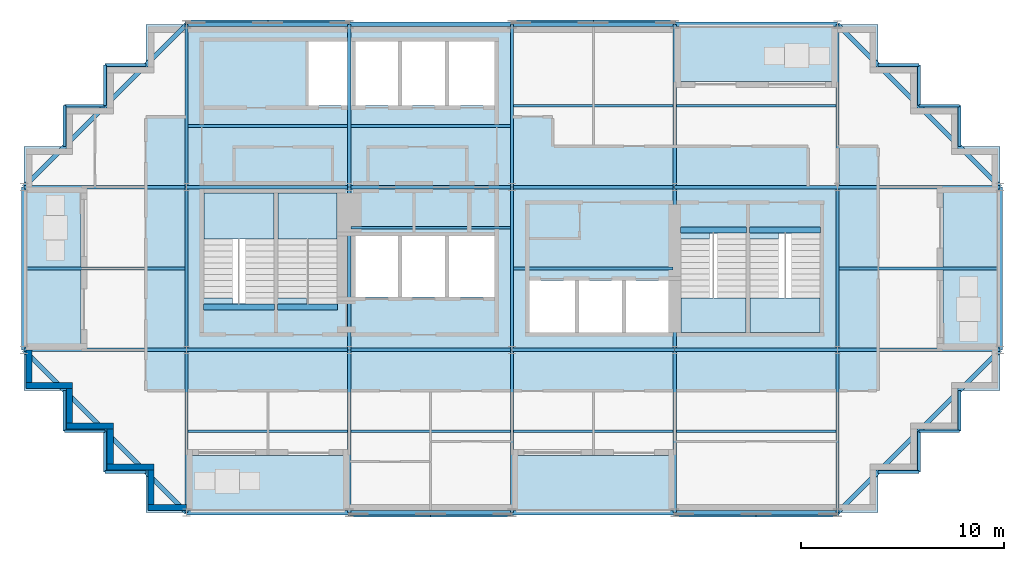
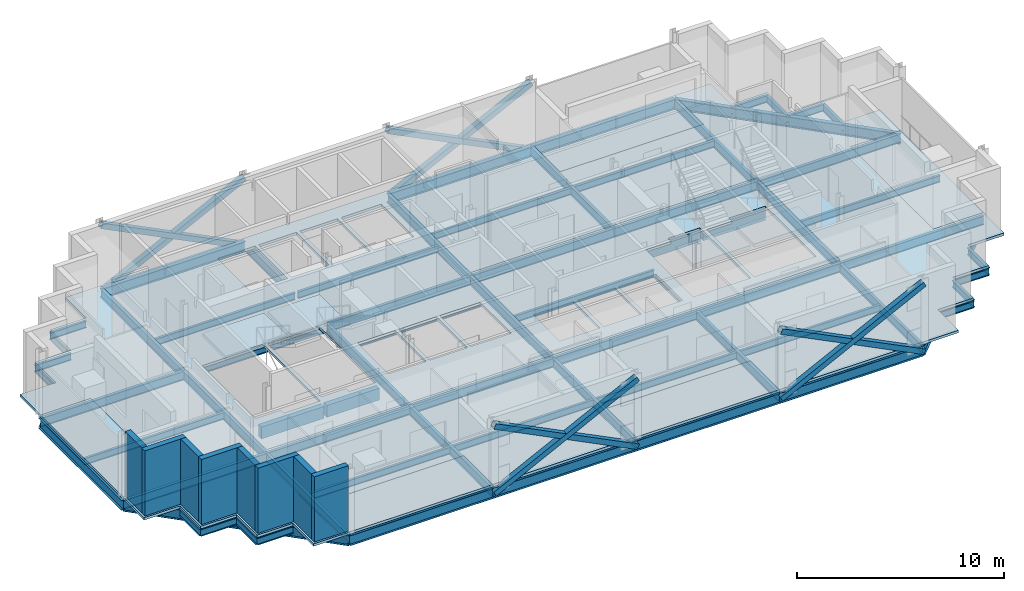
# One storey, part 3 of 10: 73 beams, 12 slabs, 8 members, 8 walls, 4 elements without a shape of their own.
"""IFC4 building model written with IfcOpenShell, lengths in metres."""

from ifc_helpers import new_model, si_unit, direction, frame, frame_2d, origin, origin_2d, place, context, subcontext, project, spatial, polyline, rectangle, hollow_rectangle, i_section, outline, extrude, material, layer, layer_set, material_profile, profile_set, type_object, element, aggregate, save


model = new_model("IFC4")

# Units and contexts
model_context = context("Model", 3, precision=1e-05, world=origin(), true_north=direction((0.0, 1.0)))
body_context = subcontext(model_context, "Body", "Model", "MODEL_VIEW")
ifc_project = project(units=[si_unit("LENGTHUNIT", "METRE"), si_unit("AREAUNIT", "SQUARE_METRE"), si_unit("VOLUMEUNIT", "CUBIC_METRE"), si_unit("PLANEANGLEUNIT", "RADIAN"), si_unit("MASSUNIT", "GRAM", prefix="KILO")], contexts=[model_context])

# Site, building, storey
site_placement = place(None, origin())
site = spatial("IfcSite", under=ifc_project, at=site_placement, CompositionType="ELEMENT")
building_placement = place(site_placement, origin())
building = spatial("IfcBuilding", under=site, at=building_placement, Name="Immortelle Media Tower", CompositionType="ELEMENT")
storey_placement = place(building_placement, frame((0.0, 0.0, 291.0)))
storey = spatial("IfcBuildingStorey", under=building, at=storey_placement, Name="L64", CompositionType="ELEMENT", Elevation=291.0)

# Members
ifc_material_1 = material(Name="Steel ASTM A500 Gr C", Category="steel")
ifc_material_profile_1 = material_profile(ifc_material_1, hollow_rectangle(XDim=0.304931640625, YDim=0.304931640625, WallThickness=0.009033203125, at=origin_2d()), Name="HSS12x12x3/8 brace")
ifc_profile_set_1 = profile_set([ifc_material_profile_1], Name="Steel ASTM A500 Gr C")
member_type = type_object("IfcMemberType", Name="HSS12x12x3/8 brace", PredefinedType="BRACE", material=ifc_profile_set_1)
for number, where, z_axis, x_axis, name in (
    (1, (16.0, -0.0625, -0.450927734375), (0.894427191, 0.0, 0.4472135955), (0.0, 1.0, 0.0), "Brace A/3-4 A"),
    (2, (16.0, -0.0625, 3.549072265625), (0.894427191, 0.0, -0.4472135955), (0.0, 1.0, 0.0), "Brace A/3-4 B"),
    (3, (32.0, -0.0625, -0.450927734375), (0.894427191, 0.0, 0.4472135955), (0.0, 1.0, 0.0), "Brace A/5-6 A"),
    (4, (32.0, -0.0625, 3.549072265625), (0.894427191, 0.0, -0.4472135955), (0.0, 1.0, 0.0), "Brace A/5-6 B"),
    (5, (32.0, 24.0625, -0.450927734375), (-0.894427191, 0.0, 0.4472135955), (0.0, -1.0, 0.0), "Brace D/4-5 A"),
    (6, (32.0, 24.0625, 3.549072265625), (-0.894427191, 0.0, -0.4472135955), (0.0, -1.0, 0.0), "Brace D/4-5 B"),
    (7, (16.0, 24.0625, -0.450927734375), (-0.894427191, 0.0, 0.4472135955), (0.0, -1.0, 0.0), "Brace D/2-3 A"),
    (8, (16.0, 24.0625, 3.549072265625), (-0.894427191, 0.0, -0.4472135955), (0.0, -1.0, 0.0), "Brace D/2-3 B"),
):
    element("IfcMember", number, at=place(storey_placement, frame(where, z_axis=z_axis, x_axis=x_axis)), inside=storey, type_object=member_type, Name=name, PredefinedType="BRACE", context=body_context, shape_type="SweptSolid", body=[
        extrude(hollow_rectangle(XDim=0.304931640625, YDim=0.304931640625, WallThickness=0.009033203125, at=origin_2d()), origin(), (0.0, 0.0, 1.0), 8.9443359375),
    ])

# Beams
ifc_material_2 = material(Name="Concrete C50/60", Category="concrete")
ifc_material_profile_2 = material_profile(ifc_material_2, rectangle(XDim=0.300048828125, YDim=0.699951171875, at=origin_2d()), Name="RC 300x700")
ifc_profile_set_2 = profile_set([ifc_material_profile_2], Name="Concrete C50/60")
beam_type_1 = type_object("IfcBeamType", Name="Stair trimmer beam 300 x 700", PredefinedType="BEAM", material=ifc_profile_set_2)
beam_1_placement = place(storey_placement, frame((8.830078125, 10.10498046875, -0.5), z_axis=(1.0, 0.0, 0.0), x_axis=(0.0, 1.0, 0.0)))
element("IfcBeam", 9, at=beam_1_placement, inside=storey, type_object=beam_type_1, Name="Stair trimmer beam SW1", PredefinedType="BEAM", context=body_context, shape_type="SweptSolid", body=[
    extrude(rectangle(XDim=0.300048828125, YDim=0.699951171875, at=origin_2d()), origin(), (0.0, 0.0, 1.0), 3.489990234375),
])
beam_2_placement = place(storey_placement, frame((12.47998046875, 10.10498046875, -0.5), z_axis=(1.0, 0.0, 0.0), x_axis=(0.0, 1.0, 0.0)))
element("IfcBeam", 10, at=beam_2_placement, inside=storey, type_object=beam_type_1, Name="Stair trimmer beam SW2", PredefinedType="BEAM", context=body_context, shape_type="SweptSolid", body=[
    extrude(rectangle(XDim=0.300048828125, YDim=0.699951171875, at=origin_2d()), origin(), (0.0, 0.0, 1.0), 2.93994140625),
])
beam_3_placement = place(storey_placement, frame((32.280029296875, 13.89501953125, -0.5), z_axis=(1.0, 0.0, 0.0), x_axis=(0.0, 1.0, 0.0)))
element("IfcBeam", 11, at=beam_3_placement, inside=storey, type_object=beam_type_1, Name="Stair trimmer beam SE1", PredefinedType="BEAM", context=body_context, shape_type="SweptSolid", body=[
    extrude(rectangle(XDim=0.300048828125, YDim=0.699951171875, at=origin_2d()), origin(), (0.0, 0.0, 1.0), 3.239990234375),
])
beam_4_placement = place(storey_placement, frame((35.679931640625, 13.89501953125, -0.5), z_axis=(1.0, 0.0, 0.0), x_axis=(0.0, 1.0, 0.0)))
element("IfcBeam", 12, at=beam_4_placement, inside=storey, type_object=beam_type_1, Name="Stair trimmer beam SE2", PredefinedType="BEAM", context=body_context, shape_type="SweptSolid", body=[
    extrude(rectangle(XDim=0.300048828125, YDim=0.699951171875, at=origin_2d()), origin(), (0.0, 0.0, 1.0), 3.489990234375),
])
ifc_material_3 = material(Name="Steel ASTM A992 Gr 50", Category="steel")
ifc_material_profile_3 = material_profile(ifc_material_3, i_section(OverallWidth=0.139892578125, OverallDepth=0.404052734375, WebThickness=0.007080078125, FlangeThickness=0.010986328125, at=origin_2d()), Name="W16x31")
ifc_profile_set_3 = profile_set([ifc_material_profile_3], Name="Steel ASTM A992 Gr 50")
beam_type_2 = type_object("IfcBeamType", Name="W16x31 secondary beam", PredefinedType="JOIST", material=ifc_profile_set_3)
for number, where, z_axis, x_axis, name in (
    (13, (8.08251953125, 4.0, -0.35205078125), (1.0, 0.0, 0.0), (0.0, 1.0, 0.0), "Beam A-B/2-3"),
    (14, (16.08251953125, 4.0, -0.35205078125), (1.0, 0.0, 0.0), (0.0, 1.0, 0.0), "Beam A-B/3-4"),
    (15, (24.08251953125, 4.0, -0.35205078125), (1.0, 0.0, 0.0), (0.0, 1.0, 0.0), "Beam A-B/4-5"),
    (16, (32.08251953125, 4.0, -0.35205078125), (1.0, 0.0, 0.0), (0.0, 1.0, 0.0), "Beam A-B/5-6"),
):
    element("IfcBeam", number, at=place(storey_placement, frame(where, z_axis=z_axis, x_axis=x_axis)), inside=storey, type_object=beam_type_2, Name=name, PredefinedType="JOIST", context=body_context, shape_type="SweptSolid", body=[
        extrude(i_section(OverallWidth=0.139892578125, OverallDepth=0.404052734375, WebThickness=0.007080078125, FlangeThickness=0.010986328125, at=origin_2d()), origin(), (0.0, 0.0, 1.0), 7.8349609375),
    ])
beam_5_placement = place(storey_placement, frame((0.114013671875, 12.0, -0.35205078125), z_axis=(1.0, 0.0, 0.0), x_axis=(0.0, 1.0, 0.0)))
element("IfcBeam", 17, at=beam_5_placement, inside=storey, type_object=beam_type_2, Name="Beam B-C/1-2", PredefinedType="JOIST", context=body_context, shape_type="SweptSolid", body=[
    extrude(i_section(OverallWidth=0.139892578125, OverallDepth=0.404052734375, WebThickness=0.007080078125, FlangeThickness=0.010986328125, at=origin_2d()), origin(), (0.0, 0.0, 1.0), 7.803466796875),
])
for number, where, z_axis, x_axis, name in (
    (18, (16.08251953125, 14.0, -0.35205078125), (1.0, 0.0, 0.0), (0.0, 1.0, 0.0), "Beam B-C/3-4"),
    (19, (24.08251953125, 12.0, -0.35205078125), (1.0, 0.0, 0.0), (0.0, 1.0, 0.0), "Beam B-C/4-5"),
):
    element("IfcBeam", number, at=place(storey_placement, frame(where, z_axis=z_axis, x_axis=x_axis)), inside=storey, type_object=beam_type_2, Name=name, PredefinedType="JOIST", context=body_context, shape_type="SweptSolid", body=[
        extrude(i_section(OverallWidth=0.139892578125, OverallDepth=0.404052734375, WebThickness=0.007080078125, FlangeThickness=0.010986328125, at=origin_2d()), origin(), (0.0, 0.0, 1.0), 7.8349609375),
    ])
beam_6_placement = place(storey_placement, frame((40.08251953125, 12.0, -0.35205078125), z_axis=(1.0, 0.0, 0.0), x_axis=(0.0, 1.0, 0.0)))
element("IfcBeam", 20, at=beam_6_placement, inside=storey, type_object=beam_type_2, Name="Beam B-C/6-7", PredefinedType="JOIST", context=body_context, shape_type="SweptSolid", body=[
    extrude(i_section(OverallWidth=0.139892578125, OverallDepth=0.404052734375, WebThickness=0.007080078125, FlangeThickness=0.010986328125, at=origin_2d()), origin(), (0.0, 0.0, 1.0), 7.803466796875),
])
for number, where, z_axis, x_axis, name in (
    (21, (8.08251953125, 19.0, -0.35205078125), (1.0, 0.0, 0.0), (0.0, 1.0, 0.0), "Beam C-D/2-3"),
    (22, (16.08251953125, 19.0, -0.35205078125), (1.0, 0.0, 0.0), (0.0, 1.0, 0.0), "Beam C-D/3-4"),
    (23, (24.08251953125, 20.0, -0.35205078125), (1.0, 0.0, 0.0), (0.0, 1.0, 0.0), "Beam C-D/4-5"),
    (24, (32.08251953125, 20.0, -0.35205078125), (1.0, 0.0, 0.0), (0.0, 1.0, 0.0), "Beam C-D/5-6"),
):
    element("IfcBeam", number, at=place(storey_placement, frame(where, z_axis=z_axis, x_axis=x_axis)), inside=storey, type_object=beam_type_2, Name=name, PredefinedType="JOIST", context=body_context, shape_type="SweptSolid", body=[
        extrude(i_section(OverallWidth=0.139892578125, OverallDepth=0.404052734375, WebThickness=0.007080078125, FlangeThickness=0.010986328125, at=origin_2d()), origin(), (0.0, 0.0, 1.0), 7.8349609375),
    ])
ifc_material_profile_4 = material_profile(ifc_material_3, i_section(OverallWidth=0.139892578125, OverallDepth=0.404052734375, WebThickness=0.007080078125, FlangeThickness=0.010986328125, at=origin_2d()), Name="W16x31")
ifc_profile_set_4 = profile_set([ifc_material_profile_4], Name="Steel ASTM A992 Gr 50")
beam_type_3 = type_object("IfcBeamType", Name="W16x31 serration edge beam", PredefinedType="SPANDREL", material=ifc_profile_set_4)
for number, where, z_axis, x_axis, name in (
    (25, (6.0, 2.0, -0.35205078125), (-1.0, 0.0, 0.0), (0.0, -1.0, 0.0), "Corner edge beam 1 at 1/A"),
    (26, (4.0, 2.0, -0.35205078125), (0.0, 1.0, 0.0), (-1.0, 0.0, 0.0), "Corner edge beam 2 at 1/A"),
    (27, (4.0, 4.0, -0.35205078125), (-1.0, 0.0, 0.0), (0.0, -1.0, 0.0), "Corner edge beam 3 at 1/A"),
    (28, (2.0, 4.0, -0.35205078125), (0.0, 1.0, 0.0), (-1.0, 0.0, 0.0), "Corner edge beam 4 at 1/A"),
    (29, (2.0, 18.0, -0.35205078125), (0.0, 1.0, 0.0), (-1.0, 0.0, 0.0), "Corner edge beam 1 at 1/D"),
    (30, (2.0, 20.0, -0.35205078125), (1.0, 0.0, 0.0), (0.0, 1.0, 0.0), "Corner edge beam 2 at 1/D"),
    (31, (4.0, 20.0, -0.35205078125), (0.0, 1.0, 0.0), (-1.0, 0.0, 0.0), "Corner edge beam 3 at 1/D"),
    (32, (4.0, 22.0, -0.35205078125), (1.0, 0.0, 0.0), (0.0, 1.0, 0.0), "Corner edge beam 4 at 1/D"),
    (33, (46.0, 6.0, -0.35205078125), (0.0, -1.0, 0.0), (1.0, 0.0, 0.0), "Corner edge beam 1 at 7/A"),
    (34, (46.0, 4.0, -0.35205078125), (-1.0, 0.0, 0.0), (0.0, -1.0, 0.0), "Corner edge beam 2 at 7/A"),
    (35, (44.0, 4.0, -0.35205078125), (0.0, -1.0, 0.0), (1.0, 0.0, 0.0), "Corner edge beam 3 at 7/A"),
    (36, (44.0, 2.0, -0.35205078125), (-1.0, 0.0, 0.0), (0.0, -1.0, 0.0), "Corner edge beam 4 at 7/A"),
    (37, (42.0, 22.0, -0.35205078125), (1.0, 0.0, 0.0), (0.0, 1.0, 0.0), "Corner edge beam 1 at 7/D"),
    (38, (44.0, 22.0, -0.35205078125), (0.0, -1.0, 0.0), (1.0, 0.0, 0.0), "Corner edge beam 2 at 7/D"),
    (39, (44.0, 20.0, -0.35205078125), (1.0, 0.0, 0.0), (0.0, 1.0, 0.0), "Corner edge beam 3 at 7/D"),
    (40, (46.0, 20.0, -0.35205078125), (0.0, -1.0, 0.0), (1.0, 0.0, 0.0), "Corner edge beam 4 at 7/D"),
):
    element("IfcBeam", number, at=place(storey_placement, frame(where, z_axis=z_axis, x_axis=x_axis)), inside=storey, type_object=beam_type_3, Name=name, PredefinedType="SPANDREL", context=body_context, shape_type="SweptSolid", body=[
        extrude(i_section(OverallWidth=0.139892578125, OverallDepth=0.404052734375, WebThickness=0.007080078125, FlangeThickness=0.010986328125, at=origin_2d()), origin(), (0.0, 0.0, 1.0), 2.0),
    ])
ifc_material_profile_5 = material_profile(ifc_material_3, i_section(OverallWidth=0.1650390625, OverallDepth=0.52587890625, WebThickness=0.009033203125, FlangeThickness=0.010986328125, at=origin_2d()), Name="W21x44")
ifc_profile_set_5 = profile_set([ifc_material_profile_5], Name="Steel ASTM A992 Gr 50")
beam_type_4 = type_object("IfcBeamType", Name="W21x44 girder", PredefinedType="BEAM", material=ifc_profile_set_5)
for number, where, z_axis, x_axis, name in (
    (41, (0.0, 8.0, -0.4130859375), (1.0, 0.0, 0.0), (0.0, 1.0, 0.0), "Girder B/1-2"),
    (42, (0.0, 16.0, -0.4130859375), (1.0, 0.0, 0.0), (0.0, 1.0, 0.0), "Girder C/1-2"),
    (43, (8.0, 0.0, -0.4130859375), (0.0, 1.0, 0.0), (-1.0, 0.0, 0.0), "Girder 2/A-B"),
    (44, (8.0, 8.0, -0.4130859375), (1.0, 0.0, 0.0), (0.0, 1.0, 0.0), "Girder B/2-3"),
    (45, (8.0, 8.0, -0.4130859375), (0.0, 1.0, 0.0), (-1.0, 0.0, 0.0), "Girder 2/B-C"),
    (46, (8.0, 16.0, -0.4130859375), (1.0, 0.0, 0.0), (0.0, 1.0, 0.0), "Girder C/2-3"),
    (47, (8.0, 16.0, -0.4130859375), (0.0, 1.0, 0.0), (-1.0, 0.0, 0.0), "Girder 2/C-D"),
    (48, (16.0, 0.0, -0.4130859375), (0.0, 1.0, 0.0), (-1.0, 0.0, 0.0), "Girder 3/A-B"),
    (49, (16.0, 8.0, -0.4130859375), (1.0, 0.0, 0.0), (0.0, 1.0, 0.0), "Girder B/3-4"),
    (50, (16.0, 8.0, -0.4130859375), (0.0, 1.0, 0.0), (-1.0, 0.0, 0.0), "Girder 3/B-C"),
    (51, (16.0, 16.0, -0.4130859375), (1.0, 0.0, 0.0), (0.0, 1.0, 0.0), "Girder C/3-4"),
    (52, (16.0, 16.0, -0.4130859375), (0.0, 1.0, 0.0), (-1.0, 0.0, 0.0), "Girder 3/C-D"),
    (53, (24.0, 0.0, -0.4130859375), (0.0, 1.0, 0.0), (-1.0, 0.0, 0.0), "Girder 4/A-B"),
    (54, (24.0, 8.0, -0.4130859375), (1.0, 0.0, 0.0), (0.0, 1.0, 0.0), "Girder B/4-5"),
    (55, (24.0, 8.0, -0.4130859375), (0.0, 1.0, 0.0), (-1.0, 0.0, 0.0), "Girder 4/B-C"),
    (56, (24.0, 16.0, -0.4130859375), (1.0, 0.0, 0.0), (0.0, 1.0, 0.0), "Girder C/4-5"),
    (57, (24.0, 16.0, -0.4130859375), (0.0, 1.0, 0.0), (-1.0, 0.0, 0.0), "Girder 4/C-D"),
    (58, (32.0, 0.0, -0.4130859375), (0.0, 1.0, 0.0), (-1.0, 0.0, 0.0), "Girder 5/A-B"),
    (59, (32.0, 8.0, -0.4130859375), (1.0, 0.0, 0.0), (0.0, 1.0, 0.0), "Girder B/5-6"),
    (60, (32.0, 8.0, -0.4130859375), (0.0, 1.0, 0.0), (-1.0, 0.0, 0.0), "Girder 5/B-C"),
    (61, (32.0, 16.0, -0.4130859375), (1.0, 0.0, 0.0), (0.0, 1.0, 0.0), "Girder C/5-6"),
    (62, (32.0, 16.0, -0.4130859375), (0.0, 1.0, 0.0), (-1.0, 0.0, 0.0), "Girder 5/C-D"),
    (63, (40.0, 0.0, -0.4130859375), (0.0, 1.0, 0.0), (-1.0, 0.0, 0.0), "Girder 6/A-B"),
    (64, (40.0, 8.0, -0.4130859375), (1.0, 0.0, 0.0), (0.0, 1.0, 0.0), "Girder B/6-7"),
    (65, (40.0, 8.0, -0.4130859375), (0.0, 1.0, 0.0), (-1.0, 0.0, 0.0), "Girder 6/B-C"),
    (66, (40.0, 16.0, -0.4130859375), (1.0, 0.0, 0.0), (0.0, 1.0, 0.0), "Girder C/6-7"),
    (67, (40.0, 16.0, -0.4130859375), (0.0, 1.0, 0.0), (-1.0, 0.0, 0.0), "Girder 6/C-D"),
):
    element("IfcBeam", number, at=place(storey_placement, frame(where, z_axis=z_axis, x_axis=x_axis)), inside=storey, type_object=beam_type_4, Name=name, PredefinedType="BEAM", context=body_context, shape_type="SweptSolid", body=[
        extrude(i_section(OverallWidth=0.1650390625, OverallDepth=0.52587890625, WebThickness=0.009033203125, FlangeThickness=0.010986328125, at=origin_2d()), origin(), (0.0, 0.0, 1.0), 8.0),
    ])
ifc_material_profile_6 = material_profile(ifc_material_3, i_section(OverallWidth=0.22802734375, OverallDepth=0.60205078125, WebThickness=0.010986328125, FlangeThickness=0.014892578125, at=origin_2d()), Name="W24x68")
ifc_profile_set_6 = profile_set([ifc_material_profile_6], Name="Steel ASTM A992 Gr 50")
beam_type_5 = type_object("IfcBeamType", Name="W24x68 perimeter girder", PredefinedType="SPANDREL", material=ifc_profile_set_6)
for number, where, z_axis, x_axis, name in (
    (68, (0.0, 8.0, -0.450927734375), (0.0, 1.0, 0.0), (-1.0, 0.0, 0.0), "Girder 1/B-C"),
    (69, (8.0, 0.0, -0.450927734375), (1.0, 0.0, 0.0), (0.0, 1.0, 0.0), "Girder A/2-3"),
    (70, (8.0, 24.0, -0.450927734375), (1.0, 0.0, 0.0), (0.0, 1.0, 0.0), "Girder D/2-3"),
    (71, (16.0, 0.0, -0.450927734375), (1.0, 0.0, 0.0), (0.0, 1.0, 0.0), "Girder A/3-4"),
    (72, (16.0, 24.0, -0.450927734375), (1.0, 0.0, 0.0), (0.0, 1.0, 0.0), "Girder D/3-4"),
    (73, (24.0, 0.0, -0.450927734375), (1.0, 0.0, 0.0), (0.0, 1.0, 0.0), "Girder A/4-5"),
    (74, (24.0, 24.0, -0.450927734375), (1.0, 0.0, 0.0), (0.0, 1.0, 0.0), "Girder D/4-5"),
    (75, (32.0, 0.0, -0.450927734375), (1.0, 0.0, 0.0), (0.0, 1.0, 0.0), "Girder A/5-6"),
    (76, (32.0, 24.0, -0.450927734375), (1.0, 0.0, 0.0), (0.0, 1.0, 0.0), "Girder D/5-6"),
    (77, (48.0, 8.0, -0.450927734375), (0.0, 1.0, 0.0), (-1.0, 0.0, 0.0), "Girder 7/B-C"),
):
    element("IfcBeam", number, at=place(storey_placement, frame(where, z_axis=z_axis, x_axis=x_axis)), inside=storey, type_object=beam_type_5, Name=name, PredefinedType="SPANDREL", context=body_context, shape_type="SweptSolid", body=[
        extrude(i_section(OverallWidth=0.22802734375, OverallDepth=0.60205078125, WebThickness=0.010986328125, FlangeThickness=0.014892578125, at=origin_2d()), origin(), (0.0, 0.0, 1.0), 8.0),
    ])
ifc_material_profile_7 = material_profile(ifc_material_3, i_section(OverallWidth=0.22900390625, OverallDepth=0.612060546875, WebThickness=0.011962890625, FlangeThickness=0.02001953125, at=origin_2d()), Name="W24x84")
ifc_profile_set_7 = profile_set([ifc_material_profile_7], Name="Steel ASTM A992 Gr 50")
beam_type_6 = type_object("IfcBeamType", Name="W24x84 corner girder", PredefinedType="SPANDREL", material=ifc_profile_set_7)
for number, where, z_axis, x_axis, name in (
    (78, (8.0, 0.0, -0.4560546875), (-0.707106781187, 0.707106781187, 0.0), (-0.707106781187, -0.707106781187, 0.0), "Corner girder at 1/A"),
    (79, (0.0, 16.0, -0.4560546875), (0.707106781187, 0.707106781187, 0.0), (-0.707106781187, 0.707106781187, 0.0), "Corner girder at 1/D"),
    (80, (48.0, 8.0, -0.4560546875), (-0.707106781187, -0.707106781187, 0.0), (0.707106781187, -0.707106781187, 0.0), "Corner girder at 7/A"),
    (81, (40.0, 24.0, -0.4560546875), (0.707106781187, -0.707106781187, 0.0), (0.707106781187, 0.707106781187, 0.0), "Corner girder at 7/D"),
):
    element("IfcBeam", number, at=place(storey_placement, frame(where, z_axis=z_axis, x_axis=x_axis)), inside=storey, type_object=beam_type_6, Name=name, PredefinedType="SPANDREL", context=body_context, shape_type="SweptSolid", body=[
        extrude(i_section(OverallWidth=0.22900390625, OverallDepth=0.612060546875, WebThickness=0.011962890625, FlangeThickness=0.02001953125, at=origin_2d()), origin(), (0.0, 0.0, 1.0), 11.313720703125),
    ])

# Slabs
ifc_material_4 = material(Name="Concrete C50/60 composite deck", Category="concrete")
ifc_layer_1 = layer(ifc_material_4, 0.14990234375)
ifc_layer_set_1 = layer_set([ifc_layer_1], Name="Concrete C50/60 composite deck")
slab_type_1 = type_object("IfcSlabType", Name="Balcony slab 150", PredefinedType="FLOOR", material=ifc_layer_set_1)
slab_1_placement = place(storey_placement, frame((0.0, 0.0, -0.14990234375)))
element("IfcSlab", 82, at=slab_1_placement, inside=storey, type_object=slab_type_1, Name="Balcony slab L64 S0", PredefinedType="FLOOR", context=body_context, shape_type="SweptSolid", body=[
    extrude(outline(polyline([(16.0, 0.0), (16.0, 2.800048828125), (8.0, 2.800048828125), (8.0, 0.0), (16.0, 0.0)])), origin(), (0.0, 0.0, 1.0), 0.14990234375),
])
slab_2_placement = place(storey_placement, frame((0.0, 0.0, -0.14990234375)))
element("IfcSlab", 83, at=slab_2_placement, inside=storey, type_object=slab_type_1, Name="Balcony slab L64 S2", PredefinedType="FLOOR", context=body_context, shape_type="SweptSolid", body=[
    extrude(outline(polyline([(32.0, 0.0), (32.0, 2.800048828125), (24.0, 2.800048828125), (24.0, 0.0), (32.0, 0.0)])), origin(), (0.0, 0.0, 1.0), 0.14990234375),
])
slab_3_placement = place(storey_placement, frame((0.0, 0.0, -0.14990234375)))
element("IfcSlab", 84, at=slab_3_placement, inside=storey, type_object=slab_type_1, Name="Balcony slab L64 E0", PredefinedType="FLOOR", context=body_context, shape_type="SweptSolid", body=[
    extrude(outline(polyline([(48.0, 8.0), (48.0, 16.0), (45.199951171875, 16.0), (45.199951171875, 8.0), (48.0, 8.0)])), origin(), (0.0, 0.0, 1.0), 0.14990234375),
])
slab_4_placement = place(storey_placement, frame((0.0, 0.0, -0.14990234375)))
element("IfcSlab", 85, at=slab_4_placement, inside=storey, type_object=slab_type_1, Name="Balcony slab L64 N0", PredefinedType="FLOOR", context=body_context, shape_type="SweptSolid", body=[
    extrude(outline(polyline([(40.0, 21.199951171875), (40.0, 24.0), (32.0, 24.0), (32.0, 21.199951171875), (40.0, 21.199951171875)])), origin(), (0.0, 0.0, 1.0), 0.14990234375),
])
slab_5_placement = place(storey_placement, frame((0.0, 0.0, -0.14990234375)))
element("IfcSlab", 86, at=slab_5_placement, inside=storey, type_object=slab_type_1, Name="Balcony slab L64 W0", PredefinedType="FLOOR", context=body_context, shape_type="SweptSolid", body=[
    extrude(outline(polyline([(2.800048828125, 8.0), (2.800048828125, 16.0), (0.0, 16.0), (0.0, 8.0), (2.800048828125, 8.0)])), origin(), (0.0, 0.0, 1.0), 0.14990234375),
])
ifc_layer_2 = layer(ifc_material_2, 0.14990234375)
ifc_layer_set_2 = layer_set([ifc_layer_2], Name="Concrete C50/60")
slab_type_2 = type_object("IfcSlabType", Name="Composite floor slab 150", PredefinedType="FLOOR", material=ifc_layer_set_2)
slab_6_placement = place(storey_placement, frame((0.0, 0.0, -0.14990234375)))
element("IfcSlab", 87, at=slab_6_placement, inside=storey, type_object=slab_type_2, Name="Floor slab L64", PredefinedType="FLOOR", context=body_context, shape_type="SweptSolid", body=[
    extrude(outline(polyline([(6.0, 0.0), (6.0, 2.0), (4.0, 2.0), (4.0, 4.0), (2.0, 4.0), (2.0, 6.0), (0.0, 6.0), (0.0, 8.0), (2.800048828125, 8.0), (2.800048828125, 16.0), (0.0, 16.0), (0.0, 18.0), (2.0, 18.0), (2.0, 20.0), (4.0, 20.0), (4.0, 22.0), (6.0, 22.0), (6.0, 24.0), (8.0, 24.0), (8.0, 8.0), (24.0, 8.0), (40.0, 8.0), (40.0, 16.0), (24.0, 16.0), (24.0, 21.199951171875), (24.0, 24.0), (32.0, 24.0), (32.0, 21.199951171875), (40.0, 21.199951171875), (40.0, 24.0), (42.0, 24.0), (42.0, 22.0), (44.0, 22.0), (44.0, 20.0), (46.0, 20.0), (46.0, 18.0), (48.0, 18.0), (48.0, 16.0), (45.199951171875, 16.0), (45.199951171875, 8.0), (48.0, 8.0), (48.0, 6.0), (46.0, 6.0), (46.0, 4.0), (44.0, 4.0), (44.0, 2.0), (42.0, 2.0), (42.0, 0.0), (32.0, 0.0), (32.0, 2.800048828125), (24.0, 2.800048828125), (24.0, 0.0), (16.0, 0.0), (16.0, 2.800048828125), (8.0, 2.800048828125), (8.0, 0.0), (6.0, 0.0)])), origin(), (0.0, 0.0, 1.0), 0.14990234375),
])
ifc_layer_3 = layer(ifc_material_2, 0.14990234375)
ifc_layer_set_3 = layer_set([ifc_layer_3], Name="Concrete C50/60")
slab_type_3 = type_object("IfcSlabType", Name="Core floor slab 150", PredefinedType="FLOOR", material=ifc_layer_set_3)
slab_7_placement = place(storey_placement, frame((0.0, 0.0, -0.14990234375)))
element("IfcSlab", 88, at=slab_7_placement, inside=storey, type_object=slab_type_3, Name="Core floor SW", PredefinedType="FLOOR", context=body_context, shape_type="SweptSolid", body=[
    extrude(outline(polyline([(8.0, 8.0), (24.0, 8.0), (24.0, 24.0), (8.0, 24.0), (8.0, 8.0)]), holes=[polyline([(14.0, 20.0), (16.10009765625, 20.0), (16.10009765625, 23.14990234375), (14.0, 23.14990234375), (14.0, 20.0)]), polyline([(16.300048828125, 20.0), (18.39990234375, 20.0), (18.39990234375, 23.14990234375), (16.300048828125, 23.14990234375), (16.300048828125, 20.0)]), polyline([(18.60009765625, 20.0), (20.699951171875, 20.0), (20.699951171875, 23.14990234375), (18.60009765625, 23.14990234375), (18.60009765625, 20.0)]), polyline([(20.89990234375, 20.0), (23.14990234375, 20.0), (23.14990234375, 23.14990234375), (20.89990234375, 23.14990234375), (20.89990234375, 20.0)]), polyline([(16.300048828125, 10.60009765625), (18.39990234375, 10.60009765625), (18.39990234375, 13.60009765625), (16.300048828125, 13.60009765625), (16.300048828125, 10.60009765625)]), polyline([(18.60009765625, 10.60009765625), (20.699951171875, 10.60009765625), (20.699951171875, 13.60009765625), (18.60009765625, 13.60009765625), (18.60009765625, 10.60009765625)]), polyline([(20.89990234375, 10.60009765625), (23.14990234375, 10.60009765625), (23.14990234375, 13.60009765625), (20.89990234375, 13.60009765625), (20.89990234375, 10.60009765625)]), polyline([(8.85009765625, 15.699951171875), (12.300048828125, 15.699951171875), (12.300048828125, 10.27001953125), (10.25, 10.27001953125), (10.25, 10.56005859375), (8.85009765625, 10.56005859375), (8.85009765625, 15.699951171875)]), polyline([(12.5, 15.699951171875), (15.39990234375, 15.699951171875), (15.39990234375, 10.27001953125), (13.89990234375, 10.27001953125), (13.89990234375, 10.56005859375), (12.5, 10.56005859375), (12.5, 15.699951171875)])]), origin(), (0.0, 0.0, 1.0), 0.14990234375),
])
slab_8_placement = place(storey_placement, frame((0.0, 0.0, -0.14990234375)))
element("IfcSlab", 89, at=slab_8_placement, inside=storey, type_object=slab_type_3, Name="Core floor SE", PredefinedType="FLOOR", context=body_context, shape_type="SweptSolid", body=[
    extrude(outline(polyline([(24.0, 8.0), (40.0, 8.0), (40.0, 16.0), (24.0, 16.0), (24.0, 8.0)]), holes=[polyline([(24.85009765625, 8.85009765625), (27.10009765625, 8.85009765625), (27.10009765625, 11.39990234375), (24.85009765625, 11.39990234375), (24.85009765625, 8.85009765625)]), polyline([(27.300048828125, 8.85009765625), (29.39990234375, 8.85009765625), (29.39990234375, 11.39990234375), (27.300048828125, 11.39990234375), (27.300048828125, 8.85009765625)]), polyline([(29.60009765625, 8.85009765625), (31.699951171875, 8.85009765625), (31.699951171875, 11.39990234375), (29.60009765625, 11.39990234375), (29.60009765625, 8.85009765625)]), polyline([(35.5, 13.72998046875), (35.5, 8.85009765625), (32.300048828125, 8.85009765625), (32.300048828125, 13.43994140625), (33.699951171875, 13.43994140625), (33.699951171875, 13.72998046875), (35.5, 13.72998046875)]), polyline([(39.14990234375, 13.72998046875), (39.14990234375, 8.85009765625), (35.699951171875, 8.85009765625), (35.699951171875, 13.43994140625), (37.10009765625, 13.43994140625), (37.10009765625, 13.72998046875), (39.14990234375, 13.72998046875)])]), origin(), (0.0, 0.0, 1.0), 0.14990234375),
])

# Stair, slab
stair_type = type_object("IfcStairType", Name="Stair with flights", PredefinedType="DOUBLE_RETURN_STAIR", material=ifc_material_3)
stair_1_placement = place(storey_placement, origin())
stair_1 = element("IfcStair", 90, at=stair_1_placement, inside=storey, type_object=stair_type, Name="Exit stair SW1", PredefinedType="DOUBLE_RETURN_STAIR")
ifc_material_5 = material(Name="Steel ASTM A572 Gr 50", Category="steel")
ifc_layer_4 = layer(ifc_material_5, 0.199951171875)
ifc_layer_set_4 = layer_set([ifc_layer_4], Name="Steel ASTM A572 Gr 50")
slab_type_4 = type_object("IfcSlabType", Name="Stair landing 200", PredefinedType="LANDING", material=ifc_layer_set_4)
slab_9_placement = place(storey_placement, frame((0.0, 0.0, 1.713134765625)))
slab_9 = element("IfcSlab", 91, at=slab_9_placement, type_object=slab_type_4, Name="ST SW1 landing 1", PredefinedType="LANDING", context=body_context, shape_type="SweptSolid", body=[
    extrude(outline(polyline([(8.85009765625, 13.43994140625), (12.300048828125, 13.43994140625), (12.300048828125, 15.699951171875), (8.85009765625, 15.699951171875), (8.85009765625, 13.43994140625)])), origin(), (0.0, 0.0, 1.0), 0.199951171875),
])
aggregate(stair_1, [slab_9])

stair_2_placement = place(storey_placement, origin())
stair_2 = element("IfcStair", 92, at=stair_2_placement, inside=storey, type_object=stair_type, Name="Exit stair SW2", PredefinedType="DOUBLE_RETURN_STAIR")
slab_10_placement = place(storey_placement, frame((0.0, 0.0, 1.713134765625)))
slab_10 = element("IfcSlab", 93, at=slab_10_placement, type_object=slab_type_4, Name="ST SW2 landing 1", PredefinedType="LANDING", context=body_context, shape_type="SweptSolid", body=[
    extrude(outline(polyline([(12.5, 13.43994140625), (15.39990234375, 13.43994140625), (15.39990234375, 15.699951171875), (12.5, 15.699951171875), (12.5, 13.43994140625)])), origin(), (0.0, 0.0, 1.0), 0.199951171875),
])
aggregate(stair_2, [slab_10])

stair_3_placement = place(storey_placement, origin())
stair_3 = element("IfcStair", 94, at=stair_3_placement, inside=storey, type_object=stair_type, Name="Exit stair SE1", PredefinedType="DOUBLE_RETURN_STAIR")
slab_11_placement = place(storey_placement, frame((0.0, 0.0, 1.713134765625)))
slab_11 = element("IfcSlab", 95, at=slab_11_placement, type_object=slab_type_4, Name="ST SE1 landing 1", PredefinedType="LANDING", context=body_context, shape_type="SweptSolid", body=[
    extrude(outline(polyline([(32.300048828125, 8.85009765625), (35.5, 8.85009765625), (35.5, 10.56005859375), (32.300048828125, 10.56005859375), (32.300048828125, 8.85009765625)])), origin(), (0.0, 0.0, 1.0), 0.199951171875),
])
aggregate(stair_3, [slab_11])

stair_4_placement = place(storey_placement, origin())
stair_4 = element("IfcStair", 96, at=stair_4_placement, inside=storey, type_object=stair_type, Name="Exit stair SE2", PredefinedType="DOUBLE_RETURN_STAIR")
slab_12_placement = place(storey_placement, frame((0.0, 0.0, 1.713134765625)))
slab_12 = element("IfcSlab", 97, at=slab_12_placement, type_object=slab_type_4, Name="ST SE2 landing 1", PredefinedType="LANDING", context=body_context, shape_type="SweptSolid", body=[
    extrude(outline(polyline([(35.699951171875, 8.85009765625), (39.14990234375, 8.85009765625), (39.14990234375, 10.56005859375), (35.699951171875, 10.56005859375), (35.699951171875, 8.85009765625)])), origin(), (0.0, 0.0, 1.0), 0.199951171875),
])
aggregate(stair_4, [slab_12])

# Walls
ifc_material_6 = material(Name="Pale aluminium cladding panel", Category="aluminium")
ifc_layer_5 = layer(ifc_material_6, 0.030029296875)
ifc_material_7 = material(Name="Steel ASTM A653 SS Gr 50 stud frame with mineral wool", Category="steel")
ifc_layer_6 = layer(ifc_material_7, 0.257568359375)
ifc_material_8 = material(Name="Moisture-resistant gypsum board", Category="gypsum")
ifc_layer_7 = layer(ifc_material_8, 0.012451171875)
ifc_layer_set_5 = layer_set([ifc_layer_5, ifc_layer_6, ifc_layer_7], Name="Steel ASTM A653 SS Gr 50 stud frame with mineral wool")
wall_type = type_object("IfcWallType", Name="Facade wall 300", PredefinedType="SOLIDWALL", material=ifc_layer_set_5)
wall_1_placement = place(storey_placement, frame((0.10009765625, 6.25, 0.0), z_axis=(0.0, 0.0, 1.0), x_axis=(1.0, 0.0, 0.0)))
element("IfcWall", 98, at=wall_1_placement, inside=storey, type_object=wall_type, Name="Facade wall L64 S0", PredefinedType="SOLIDWALL", context=body_context, shape_type="SweptSolid", body=[
    extrude(rectangle(XDim=2.2998046875, YDim=0.300048828125, at=frame_2d((1.14990234375, 0.0))), origin(), (0.0, 0.0, 1.0), 3.85009765625),
])
wall_2_placement = place(storey_placement, frame((2.25, 6.10009765625, 0.0), z_axis=(0.0, 0.0, 1.0), x_axis=(0.0, -1.0, 0.0)))
element("IfcWall", 99, at=wall_2_placement, inside=storey, type_object=wall_type, Name="Facade wall L64 W1", PredefinedType="SOLIDWALL", context=body_context, shape_type="SweptSolid", body=[
    extrude(rectangle(XDim=1.7001953125, YDim=0.300048828125, at=frame_2d((0.85009765625, 0.0))), origin(), (0.0, 0.0, 1.0), 3.85009765625),
])
wall_3_placement = place(storey_placement, frame((2.10009765625, 4.25, 0.0), z_axis=(0.0, 0.0, 1.0), x_axis=(1.0, 0.0, 0.0)))
element("IfcWall", 100, at=wall_3_placement, inside=storey, type_object=wall_type, Name="Facade wall L64 S2", PredefinedType="SOLIDWALL", context=body_context, shape_type="SweptSolid", body=[
    extrude(rectangle(XDim=2.2998046875, YDim=0.300048828125, at=frame_2d((1.14990234375, 0.0))), origin(), (0.0, 0.0, 1.0), 3.85009765625),
])
wall_4_placement = place(storey_placement, frame((4.25, 4.10009765625, 0.0), z_axis=(0.0, 0.0, 1.0), x_axis=(0.0, -1.0, 0.0)))
element("IfcWall", 101, at=wall_4_placement, inside=storey, type_object=wall_type, Name="Facade wall L64 W3", PredefinedType="SOLIDWALL", context=body_context, shape_type="SweptSolid", body=[
    extrude(rectangle(XDim=1.7001953125, YDim=0.300048828125, at=frame_2d((0.85009765625, 0.0))), origin(), (0.0, 0.0, 1.0), 3.85009765625),
])
wall_5_placement = place(storey_placement, frame((4.10009765625, 2.25, 0.0), z_axis=(0.0, 0.0, 1.0), x_axis=(1.0, 0.0, 0.0)))
element("IfcWall", 102, at=wall_5_placement, inside=storey, type_object=wall_type, Name="Facade wall L64 S4", PredefinedType="SOLIDWALL", context=body_context, shape_type="SweptSolid", body=[
    extrude(rectangle(XDim=2.2998046875, YDim=0.300048828125, at=frame_2d((1.14990234375, 0.0))), origin(), (0.0, 0.0, 1.0), 3.85009765625),
])
wall_6_placement = place(storey_placement, frame((6.25, 2.10009765625, 0.0), z_axis=(0.0, 0.0, 1.0), x_axis=(0.0, -1.0, 0.0)))
element("IfcWall", 103, at=wall_6_placement, inside=storey, type_object=wall_type, Name="Facade wall L64 W5", PredefinedType="SOLIDWALL", context=body_context, shape_type="SweptSolid", body=[
    extrude(rectangle(XDim=1.7001953125, YDim=0.300048828125, at=frame_2d((0.85009765625, 0.0))), origin(), (0.0, 0.0, 1.0), 3.85009765625),
])
wall_7_placement = place(storey_placement, frame((6.10009765625, 0.25, 0.0), z_axis=(0.0, 0.0, 1.0), x_axis=(1.0, 0.0, 0.0)))
element("IfcWall", 104, at=wall_7_placement, inside=storey, type_object=wall_type, Name="Facade wall L64 S6", PredefinedType="SOLIDWALL", context=body_context, shape_type="SweptSolid", body=[
    extrude(rectangle(XDim=1.89990234375, YDim=0.300048828125, at=frame_2d((0.949951171875, 0.0))), origin(), (0.0, 0.0, 1.0), 3.85009765625),
])
wall_8_placement = place(storey_placement, frame((0.25, 8.0, 0.0), z_axis=(0.0, 0.0, 1.0), x_axis=(0.0, -1.0, 0.0)))
element("IfcWall", 105, at=wall_8_placement, inside=storey, type_object=wall_type, Name="Facade wall L64 W27", PredefinedType="SOLIDWALL", context=body_context, shape_type="SweptSolid", body=[
    extrude(rectangle(XDim=1.60009765625, YDim=0.300048828125, at=frame_2d((0.800048828125, 0.0))), origin(), (0.0, 0.0, 1.0), 3.85009765625),
])

save(model, "model.ifc")
